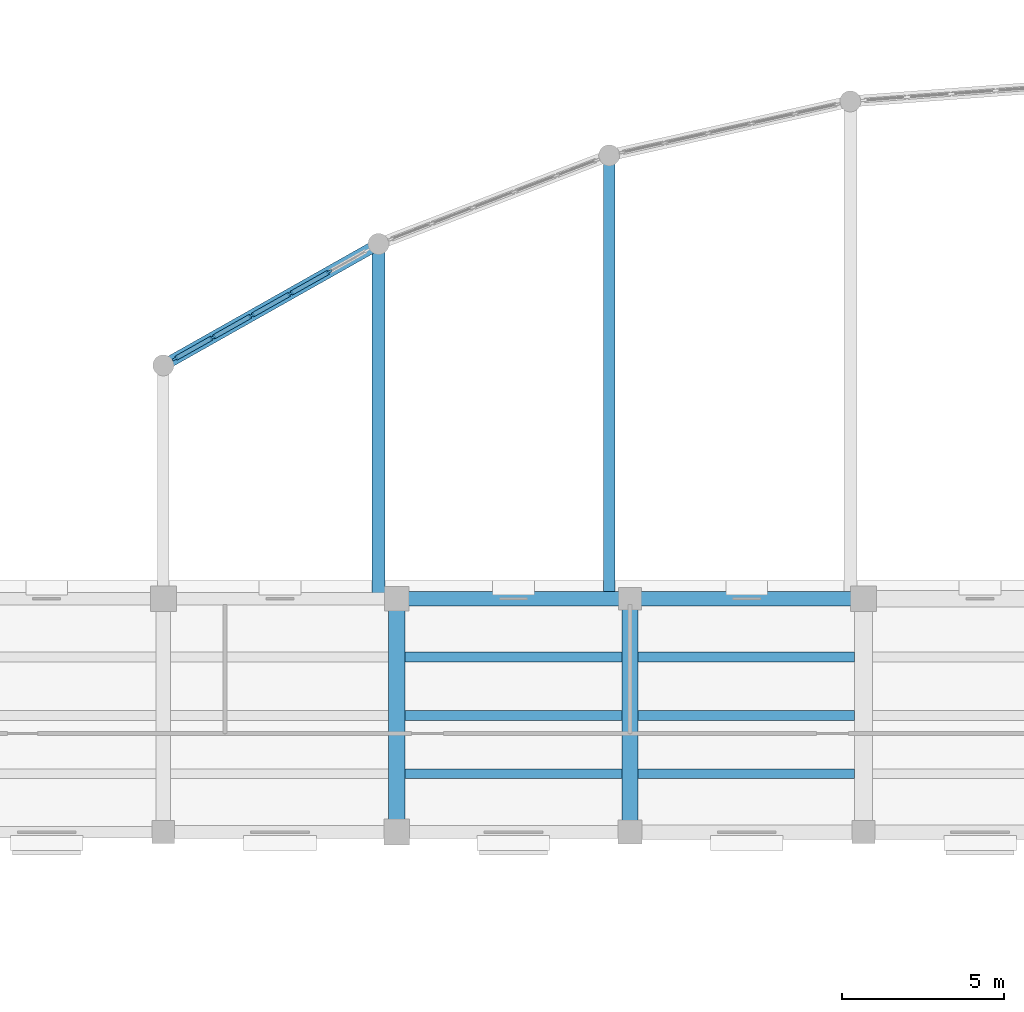
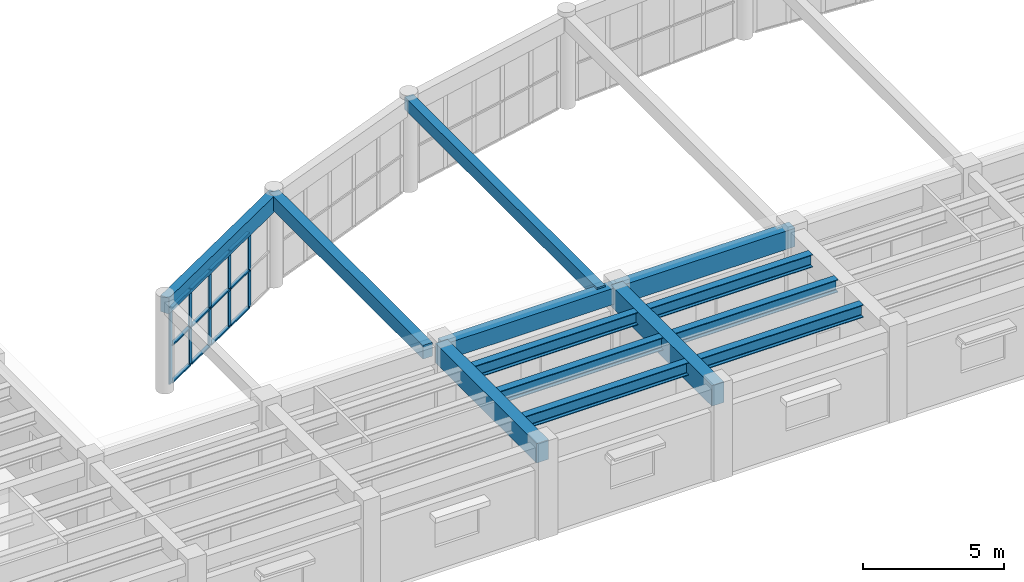
# One storey, part 16 of 76: 19 members, 11 beams, 1 element without a shape of its own.
"""IFC4 building model written with IfcOpenShell, lengths in metres."""

import ifcopenshell
import ifcopenshell.guid

model = None  # the IFC model being written
_history = None  # IfcOwnerHistory: only IFC2X3 demands one
_inside = {}  # id of a spatial element -> (the spatial element, [elements in it])
_under = {}  # id of a project, library or spatial element -> (it, [spatial elements below it])
_declared = {}  # id of a project -> (the project, [libraries it declares])
_typed = {}  # id of a type object -> (the type object, [elements of that type])
_made_of = {}  # id of a material, layer set ... -> (it, [elements and type objects made of it])


def new_model(schema):
    """Start an empty IFC model of exactly this schema.

    Asked for "IFC4X3", IfcOpenShell would pick the latest addendum, in which some entities
    have other attributes; the version numbers below select the first issue.
    IFC2X3 requires an IfcOwnerHistory on every rooted entity: one is made here for all.
    """
    global model, _history
    if schema == "IFC4X3":
        model = ifcopenshell.file(schema_version=(4, 3, 0, 0))
    else:
        model = ifcopenshell.file(schema=schema)
    _inside.clear()
    _under.clear()
    _declared.clear()
    _typed.clear()
    _made_of.clear()
    _history = None
    if model.schema == "IFC2X3":
        org = make("IfcOrganization", Name="unknown")
        user = make(
            "IfcPersonAndOrganization",
            ThePerson=make("IfcPerson", FamilyName="unknown"),
            TheOrganization=org,
        )
        app = make(
            "IfcApplication",
            ApplicationDeveloper=org,
            Version="unknown",
            ApplicationFullName="unknown",
            ApplicationIdentifier="unknown",
        )
        _history = make(
            "IfcOwnerHistory",
            OwningUser=user,
            OwningApplication=app,
            ChangeAction="ADDED",
            CreationDate=0,
        )
    return model


def make(cls, **values):
    """One entity of the class cls with the attributes given. An attribute that is None is left unset."""
    return model.create_entity(
        cls, **{name: value for name, value in values.items() if value is not None}
    )


def rooted(cls, **values):
    """An entity with a GlobalId (a new one), such as an element, a storey or a relation."""
    return make(cls, GlobalId=ifcopenshell.guid.new(), OwnerHistory=_history, **values)


def si_unit(unit_type, name, prefix=None):
    """IfcSIUnit, for example si_unit("LENGTHUNIT", "METRE", prefix="MILLI")."""
    return make("IfcSIUnit", UnitType=unit_type, Prefix=prefix, Name=name)


def assignment(units):
    """IfcUnitAssignment: the units of a project."""
    return None if units is None else make("IfcUnitAssignment", Units=units)


def point(xyz):
    """IfcCartesianPoint."""
    return None if xyz is None else make("IfcCartesianPoint", Coordinates=xyz)


def direction(xyz):
    """IfcDirection."""
    return None if xyz is None else make("IfcDirection", DirectionRatios=xyz)


def frame(location, z_axis=None, x_axis=None):
    """IfcAxis2Placement3D, a coordinate frame: its origin and axes. An axis left out is left unset."""
    return make(
        "IfcAxis2Placement3D",
        Location=point(location),
        Axis=direction(z_axis),
        RefDirection=direction(x_axis),
    )


def frame_2d(location, x_axis=None):
    """IfcAxis2Placement2D, a coordinate frame in the plane: its origin and x axis."""
    return make(
        "IfcAxis2Placement2D", Location=point(location), RefDirection=direction(x_axis)
    )


def origin():
    """The frame at (0, 0, 0) with its axes left unset."""
    return frame((0.0, 0.0, 0.0))


def origin_2d():
    """The frame at (0, 0) in the plane with its x axis left unset."""
    return frame_2d((0.0, 0.0))


def place(relative_to, where):
    """IfcLocalPlacement: puts the frame where relative to a parent placement (None: the world)."""
    return make(
        "IfcLocalPlacement", PlacementRelTo=relative_to, RelativePlacement=where
    )


def context(
    kind, dimensions, precision=None, world=None, true_north=None, identifier=None
):
    """IfcGeometricRepresentationContext, for example the 3D "Model" context."""
    return make(
        "IfcGeometricRepresentationContext",
        ContextIdentifier=identifier,
        ContextType=kind,
        CoordinateSpaceDimension=dimensions,
        Precision=precision,
        WorldCoordinateSystem=world,
        TrueNorth=true_north,
    )


def subcontext(parent, identifier, kind, view, scale=None):
    """IfcGeometricRepresentationSubContext, for example "Body" below "Model"."""
    return make(
        "IfcGeometricRepresentationSubContext",
        ContextIdentifier=identifier,
        ContextType=kind,
        ParentContext=parent,
        TargetScale=scale,
        TargetView=view,
    )


def project(units=None, contexts=None):
    """IfcProject with its units and contexts."""
    return rooted(
        "IfcProject",
        Name="project",
        RepresentationContexts=contexts,
        UnitsInContext=assignment(units),
    )


def spatial(cls, under=None, at=None, **own):
    """A site, building, storey or space (cls), placed at a placement, below another one or the project."""
    s = rooted(cls, ObjectPlacement=at, **own)
    if under is not None:
        _under.setdefault(under.id(), (under, []))[1].append(s)
    return s


def profile(cls, at=None, kind="AREA", **sizes):
    """A parametric profile (cls). Its sizes go by their IFC names, for example OverallWidth=200.0."""
    return make(cls, ProfileType=kind, Position=at, **sizes)


def rectangle(**sizes):
    """IfcRectangleProfileDef."""
    return profile("IfcRectangleProfileDef", **sizes)


def i_section(**sizes):
    """IfcIShapeProfileDef."""
    return profile("IfcIShapeProfileDef", **sizes)


def extrude(swept, where, along, depth):
    """IfcExtrudedAreaSolid: the profile swept, set in the frame where, extruded along a direction by depth."""
    return make(
        "IfcExtrudedAreaSolid",
        SweptArea=swept,
        Position=where,
        ExtrudedDirection=direction(along),
        Depth=depth,
    )


def shape(context_of_items, identifier, shape_type, items):
    """IfcShapeRepresentation: the items that make up one representation, for example the "Body"."""
    return make(
        "IfcShapeRepresentation",
        ContextOfItems=context_of_items,
        RepresentationIdentifier=identifier,
        RepresentationType=shape_type,
        Items=items,
    )


def material(Name=None, Category=None):
    """IfcMaterial."""
    return make("IfcMaterial", Name=Name, Category=Category)


def material_profile(
    of_material, cross_section, Name=None, Category=None, Priority=None
):
    """IfcMaterialProfile: a cross section and its material."""
    return make(
        "IfcMaterialProfile",
        Name=Name,
        Material=of_material,
        Profile=cross_section,
        Priority=Priority,
        Category=Category,
    )


def profile_set(profiles, Name=None, composite=None):
    """IfcMaterialProfileSet."""
    return make(
        "IfcMaterialProfileSet",
        Name=Name,
        MaterialProfiles=profiles,
        CompositeProfile=composite,
    )


def made_of(thing, what):
    """Note that an element or type object is made of a material, layer set ...; save() writes the relation."""
    if what is not None:
        _made_of.setdefault(what.id(), (what, []))[1].append(thing)
    return thing


def type_object(cls, material=None, **own):
    """A type object (cls), such as IfcWallType, which elements share."""
    return made_of(rooted(cls, **own), material)


def element(
    cls,
    number,
    at=None,
    inside=None,
    cuts=None,
    type_object=None,
    material=None,
    context=None,
    identifier="Body",
    shape_type=None,
    held_by="IfcProductDefinitionShape",
    body=None,
    shapes=None,
    **own,
):
    """One element of the class cls, such as IfcWall. Its Tag is "e" and its number.

    at: its placement. inside: the storey or other place that contains it. cuts: it is an
    opening in that element (IfcRelVoidsElement). A single representation is given by context,
    identifier, shape_type and body (its items); several are given by shapes. held_by: the class
    of the entity that holds the representations. save() writes the other relations.
    """
    e = rooted(cls, Tag="e%d" % number, ObjectPlacement=at, **own)
    if body is not None:
        shapes = [shape(context, identifier, shape_type, body)]
    if shapes is not None:
        e.Representation = make(held_by, Representations=shapes)
    if inside is not None:
        _inside.setdefault(inside.id(), (inside, []))[1].append(e)
    if cuts is not None:
        rooted(
            "IfcRelVoidsElement", RelatingBuildingElement=cuts, RelatedOpeningElement=e
        )
    if type_object is not None:
        _typed.setdefault(type_object.id(), (type_object, []))[1].append(e)
    return made_of(e, material)


def aggregate(whole, parts):
    """IfcRelAggregates: a whole, such as a stair, and the parts it consists of."""
    return rooted("IfcRelAggregates", RelatingObject=whole, RelatedObjects=parts)


def save(model, path):
    """Write the relations noted so far, then the file.

    IfcRelAggregates (storeys below a building ...), IfcRelContainedInSpatialStructure (elements
    in a storey), IfcRelDefinesByType, IfcRelAssociatesMaterial and IfcRelDeclares: one each for
    every whole, place, type object, material and project.
    """
    for whole, parts in _under.values():
        aggregate(whole, parts)
    for where, things in _inside.values():
        rooted(
            "IfcRelContainedInSpatialStructure",
            RelatedElements=things,
            RelatingStructure=where,
        )
    for kind, things in _typed.values():
        rooted("IfcRelDefinesByType", RelatedObjects=things, RelatingType=kind)
    for what, things in _made_of.values():
        rooted("IfcRelAssociatesMaterial", RelatedObjects=things, RelatingMaterial=what)
    for by, libraries in _declared.values():
        rooted("IfcRelDeclares", RelatingContext=by, RelatedDefinitions=libraries)
    model.write(path)


model = new_model("IFC4")

# Units and contexts
model_context = context("Model", 3, precision=1e-05, world=origin(), true_north=direction((0.0, 1.0)))
body_context = subcontext(model_context, "Body", "Model", "MODEL_VIEW")
ifc_project = project(units=[si_unit("LENGTHUNIT", "METRE"), si_unit("AREAUNIT", "SQUARE_METRE"), si_unit("VOLUMEUNIT", "CUBIC_METRE"), si_unit("PLANEANGLEUNIT", "RADIAN"), si_unit("MASSUNIT", "GRAM", prefix="KILO")], contexts=[model_context])

# Site, building, storey
site_placement = place(None, origin())
site = spatial("IfcSite", under=ifc_project, at=site_placement, CompositionType="ELEMENT")
building_placement = place(site_placement, origin())
building = spatial("IfcBuilding", under=site, at=building_placement, Name="Mithqara Police Headquarters", CompositionType="ELEMENT")
storey_placement = place(building_placement, frame((0.0, 0.0, 5.39990234375)))
storey = spatial("IfcBuildingStorey", under=building, at=storey_placement, Name="L01", CompositionType="ELEMENT", Elevation=5.39990234375)

# Members
ifc_material_1 = material(Name="Concrete C50/60", Category="concrete")
ifc_material_profile_1 = material_profile(ifc_material_1, rectangle(XDim=0.35009765625, YDim=0.550048828125, at=origin_2d()), Name="ARC 350x550")
ifc_profile_set_1 = profile_set([ifc_material_profile_1], Name="Concrete C50/60")
member_type_1 = type_object("IfcMemberType", Name="ARCH SEG 350X550", PredefinedType="STRUT", material=ifc_profile_set_1)
member_1_placement = place(storey_placement, frame((57.556884765625, 85.800048828125, 3.72509765625), z_axis=(0.0, 1.0, 0.0), x_axis=(-1.0, 0.0, 0.0)))
element("IfcMember", 1, at=member_1_placement, inside=storey, type_object=member_type_1, Name="Forecourt Arcade Transverse Strut 3", PredefinedType="STRUT", context=body_context, shape_type="SweptSolid", body=[
    extrude(rectangle(XDim=0.35009765625, YDim=0.550048828125, at=origin_2d()), origin(), (0.0, 0.0, 1.0), 13.68017578125),
])
ifc_material_profile_2 = material_profile(ifc_material_1, rectangle(XDim=0.39990234375, YDim=0.60009765625, at=origin_2d()), Name="ARC 400x600")
ifc_profile_set_2 = profile_set([ifc_material_profile_2], Name="Concrete C50/60")
member_type_2 = type_object("IfcMemberType", Name="ARCH SEG 400X600", PredefinedType="STRUT", material=ifc_profile_set_2)
member_2_placement = place(storey_placement, frame((50.440185546875, 85.800048828125, 3.7001953125), z_axis=(0.0, 1.0, 0.0), x_axis=(-1.0, 0.0, 0.0)))
element("IfcMember", 2, at=member_2_placement, inside=storey, type_object=member_type_2, Name="Forecourt Arcade Transverse Strut 2", PredefinedType="STRUT", context=body_context, shape_type="SweptSolid", body=[
    extrude(rectangle(XDim=0.39990234375, YDim=0.60009765625, at=origin_2d()), origin(), (0.0, 0.0, 1.0), 10.945556640625),
])

# Beams
ifc_material_2 = material(Name="Steel S355JR", Category="steel")
ifc_material_profile_3 = material_profile(ifc_material_2, i_section(OverallWidth=0.300048828125, OverallDepth=0.550048828125, WebThickness=0.014892578125, FlangeThickness=0.029052734375, FilletRadius=0.027099609375, at=origin_2d()), Name="HEB 550")
ifc_profile_set_3 = profile_set([ifc_material_profile_3], Name="Steel S355JR")
beam_type_1 = type_object("IfcBeamType", Name="BEAM HEB550", PredefinedType="BEAM", material=ifc_profile_set_3)
for number, where, z_axis, x_axis, name in (
    (3, (51.25, 80.39990234375, 3.64501953125), (1.0, 0.0, 0.0), (0.0, 1.0, 0.0), "L01 Composite Steel Joist 8-9/M.1"),
    (4, (51.25, 82.199951171875, 3.64501953125), (1.0, 0.0, 0.0), (0.0, 1.0, 0.0), "L01 Composite Steel Joist 8-9/M.2"),
    (5, (51.25, 84.0, 3.64501953125), (1.0, 0.0, 0.0), (0.0, 1.0, 0.0), "L01 Composite Steel Joist 8-9/M.3"),
):
    element("IfcBeam", number, at=place(storey_placement, frame(where, z_axis=z_axis, x_axis=x_axis)), inside=storey, type_object=beam_type_1, Name=name, PredefinedType="BEAM", context=body_context, shape_type="SweptSolid", body=[
        extrude(i_section(OverallWidth=0.300048828125, OverallDepth=0.550048828125, WebThickness=0.014892578125, FlangeThickness=0.029052734375, FilletRadius=0.027099609375, at=origin_2d()), origin(), (0.0, 0.0, 1.0), 6.699951171875),
    ])
for number, where, z_axis, x_axis, name in (
    (6, (58.449951171875, 80.39990234375, 3.64501953125), (1.0, 0.0, 0.0), (0.0, 1.0, 0.0), "L01 Composite Steel Joist 9-10/M.1"),
    (7, (58.449951171875, 82.199951171875, 3.64501953125), (1.0, 0.0, 0.0), (0.0, 1.0, 0.0), "L01 Composite Steel Joist 9-10/M.2"),
    (8, (58.449951171875, 84.0, 3.64501953125), (1.0, 0.0, 0.0), (0.0, 1.0, 0.0), "L01 Composite Steel Joist 9-10/M.3"),
):
    element("IfcBeam", number, at=place(storey_placement, frame(where, z_axis=z_axis, x_axis=x_axis)), inside=storey, type_object=beam_type_1, Name=name, PredefinedType="BEAM", context=body_context, shape_type="SweptSolid", body=[
        extrude(i_section(OverallWidth=0.300048828125, OverallDepth=0.550048828125, WebThickness=0.014892578125, FlangeThickness=0.029052734375, FilletRadius=0.027099609375, at=origin_2d()), origin(), (0.0, 0.0, 1.0), 6.675048828125),
    ])
ifc_material_3 = material(Name="Concrete C40/50", Category="concrete")
ifc_material_profile_4 = material_profile(ifc_material_3, rectangle(XDim=0.449951171875, YDim=0.699951171875, at=origin_2d()), Name="RC 450x700")
ifc_profile_set_4 = profile_set([ifc_material_profile_4], Name="Concrete C40/50")
beam_type_2 = type_object("IfcBeamType", Name="BEAM RC450X700", PredefinedType="BEAM", material=ifc_profile_set_4)
beam_1_placement = place(storey_placement, frame((51.0, 85.800048828125, 3.570068359375), z_axis=(1.0, 0.0, 0.0), x_axis=(0.0, 1.0, 0.0)))
element("IfcBeam", 9, at=beam_1_placement, inside=storey, type_object=beam_type_2, Name="L01 Girder 8-9/N", PredefinedType="BEAM", context=body_context, shape_type="SweptSolid", body=[
    extrude(rectangle(XDim=0.449951171875, YDim=0.699951171875, at=origin_2d()), origin(), (0.0, 0.0, 1.0), 7.199951171875),
])
ifc_material_profile_5 = material_profile(ifc_material_3, rectangle(XDim=0.449951171875, YDim=0.800048828125, at=origin_2d()), Name="RC 450x800")
ifc_profile_set_5 = profile_set([ifc_material_profile_5], Name="Concrete C40/50")
beam_type_3 = type_object("IfcBeamType", Name="BEAM RC450X800", PredefinedType="BEAM", material=ifc_profile_set_5)
beam_2_placement = place(storey_placement, frame((58.199951171875, 85.800048828125, 3.52001953125), z_axis=(1.0, 0.0, 0.0), x_axis=(0.0, 1.0, 0.0)))
element("IfcBeam", 10, at=beam_2_placement, inside=storey, type_object=beam_type_3, Name="L01 Girder 9-10/N", PredefinedType="BEAM", context=body_context, shape_type="SweptSolid", body=[
    extrude(rectangle(XDim=0.449951171875, YDim=0.800048828125, at=origin_2d()), origin(), (0.0, 0.0, 1.0), 7.199951171875),
])
ifc_material_profile_6 = material_profile(ifc_material_3, rectangle(XDim=0.5, YDim=0.85009765625, at=origin_2d()), Name="RC 500x850")
ifc_profile_set_6 = profile_set([ifc_material_profile_6], Name="Concrete C40/50")
beam_type_4 = type_object("IfcBeamType", Name="BEAM RC500X850", PredefinedType="BEAM", material=ifc_profile_set_6)
beam_3_placement = place(storey_placement, frame((51.0, 78.60009765625, 3.4951171875), z_axis=(0.0, 1.0, 0.0), x_axis=(-1.0, 0.0, 0.0)))
element("IfcBeam", 11, at=beam_3_placement, inside=storey, type_object=beam_type_4, Name="L01 Girder 8/M-N", PredefinedType="BEAM", context=body_context, shape_type="SweptSolid", body=[
    extrude(rectangle(XDim=0.5, YDim=0.85009765625, at=origin_2d()), origin(), (0.0, 0.0, 1.0), 7.199951171875),
])
ifc_material_profile_7 = material_profile(ifc_material_1, rectangle(XDim=0.5, YDim=0.89990234375, at=origin_2d()), Name="RC 500x900")
ifc_profile_set_7 = profile_set([ifc_material_profile_7], Name="Concrete C50/60")
beam_type_5 = type_object("IfcBeamType", Name="BEAM RC500X900", PredefinedType="BEAM", material=ifc_profile_set_7)
beam_4_placement = place(storey_placement, frame((58.199951171875, 78.60009765625, 3.47021484375), z_axis=(0.0, 1.0, 0.0), x_axis=(-1.0, 0.0, 0.0)))
element("IfcBeam", 12, at=beam_4_placement, inside=storey, type_object=beam_type_5, Name="L01 Girder 9/M-N", PredefinedType="BEAM", context=body_context, shape_type="SweptSolid", body=[
    extrude(rectangle(XDim=0.5, YDim=0.89990234375, at=origin_2d()), origin(), (0.0, 0.0, 1.0), 7.199951171875),
])

# Curtain wall, members
ifc_material_4 = material(Name="Bronze anodised aluminium 6063-T6", Category="aluminium")
curtain_wall_type = type_object("IfcCurtainWallType", Name="CURTAIN WALL 6875X3300", PredefinedType="USERDEFINED", material=ifc_material_4)
curtain_wall_placement = place(storey_placement, origin())
curtain_wall = element("IfcCurtainWall", 13, at=curtain_wall_placement, inside=storey, type_object=curtain_wall_type, Name="L01 Unitised Glazing CW-12 (CW-ARC-L01-00-0)", ObjectType="UNITISED GLAZING", PredefinedType="USERDEFINED")
ifc_material_profile_8 = material_profile(ifc_material_4, rectangle(XDim=0.06494140625, YDim=0.179931640625, at=origin_2d()), Name="CWM 65x180")
ifc_profile_set_8 = profile_set([ifc_material_profile_8], Name="Bronze anodised aluminium 6063-T6")
member_type_3 = type_object("IfcMemberType", Name="CWMULLION 65X180", PredefinedType="MULLION", material=ifc_profile_set_8)
member_3_placement = place(storey_placement, frame((44.154541015625, 93.199951171875, 0.0), z_axis=(0.0, 0.0, 1.0), x_axis=(-0.491307888255, 0.870985969427, 0.0)))
member_3 = element("IfcMember", 14, at=member_3_placement, type_object=member_type_3, Name="CW-12 mullion 1", PredefinedType="MULLION", context=body_context, shape_type="SweptSolid", body=[
    extrude(rectangle(XDim=0.06494140625, YDim=0.179931640625, at=origin_2d()), origin(), (0.0, 0.0, 1.0), 3.300048828125),
])
member_4_placement = place(storey_placement, frame((45.32373046875, 93.859619140625, 0.0), z_axis=(0.0, 0.0, 1.0), x_axis=(-0.491307888255, 0.870985969427, 0.0)))
member_4 = element("IfcMember", 15, at=member_4_placement, type_object=member_type_3, Name="CW-12 mullion 2", PredefinedType="MULLION", context=body_context, shape_type="SweptSolid", body=[
    extrude(rectangle(XDim=0.06494140625, YDim=0.179931640625, at=origin_2d()), origin(), (0.0, 0.0, 1.0), 3.300048828125),
])
member_5_placement = place(storey_placement, frame((46.521240234375, 94.53515625, 0.0), z_axis=(0.0, 0.0, 1.0), x_axis=(-0.491307888255, 0.870985969427, 0.0)))
member_5 = element("IfcMember", 16, at=member_5_placement, type_object=member_type_3, Name="CW-12 mullion 3", PredefinedType="MULLION", context=body_context, shape_type="SweptSolid", body=[
    extrude(rectangle(XDim=0.06494140625, YDim=0.179931640625, at=origin_2d()), origin(), (0.0, 0.0, 1.0), 3.300048828125),
])
member_6_placement = place(storey_placement, frame((47.71875, 95.210693359375, 0.0), z_axis=(0.0, 0.0, 1.0), x_axis=(-0.491307888255, 0.870985969427, 0.0)))
member_6 = element("IfcMember", 17, at=member_6_placement, type_object=member_type_3, Name="CW-12 mullion 4", PredefinedType="MULLION", context=body_context, shape_type="SweptSolid", body=[
    extrude(rectangle(XDim=0.06494140625, YDim=0.179931640625, at=origin_2d()), origin(), (0.0, 0.0, 1.0), 3.300048828125),
])
member_7_placement = place(storey_placement, frame((48.916259765625, 95.885986328125, 0.0), z_axis=(0.0, 0.0, 1.0), x_axis=(-0.491307888255, 0.870985969427, 0.0)))
member_7 = element("IfcMember", 18, at=member_7_placement, type_object=member_type_3, Name="CW-12 mullion 5", PredefinedType="MULLION", context=body_context, shape_type="SweptSolid", body=[
    extrude(rectangle(XDim=0.06494140625, YDim=0.179931640625, at=origin_2d()), origin(), (0.0, 0.0, 1.0), 3.300048828125),
])
ifc_material_profile_9 = material_profile(ifc_material_4, rectangle(XDim=0.139892578125, YDim=0.06494140625, at=origin_2d()), Name="CWT 140x65")
ifc_profile_set_9 = profile_set([ifc_material_profile_9], Name="Bronze anodised aluminium 6063-T6")
member_type_4 = type_object("IfcMemberType", Name="CWTRANSOM 140X65", PredefinedType="USERDEFINED", material=ifc_profile_set_9)
member_8_placement = place(storey_placement, frame((44.182861328125, 93.216064453125, 0.03271484375), z_axis=(0.870947009323, 0.49137694996, 0.0), x_axis=(-0.49137694996, 0.870947009323, 0.0)))
member_8 = element("IfcMember", 19, at=member_8_placement, type_object=member_type_4, Name="CW-12 transom 1.1", ObjectType="TRANSOM", PredefinedType="USERDEFINED", context=body_context, shape_type="SweptSolid", body=[
    extrude(rectangle(XDim=0.139892578125, YDim=0.06494140625, at=origin_2d()), origin(), (0.0, 0.0, 1.0), 1.27734375),
])
member_9_placement = place(storey_placement, frame((44.182861328125, 93.216064453125, 1.650146484375), z_axis=(0.870947009323, 0.49137694996, 0.0), x_axis=(-0.49137694996, 0.870947009323, 0.0)))
member_9 = element("IfcMember", 20, at=member_9_placement, type_object=member_type_4, Name="CW-12 transom 1.2", ObjectType="TRANSOM", PredefinedType="USERDEFINED", context=body_context, shape_type="SweptSolid", body=[
    extrude(rectangle(XDim=0.139892578125, YDim=0.06494140625, at=origin_2d()), origin(), (0.0, 0.0, 1.0), 1.27734375),
])
member_10_placement = place(storey_placement, frame((44.182861328125, 93.216064453125, 3.267578125), z_axis=(0.870947009323, 0.49137694996, 0.0), x_axis=(-0.49137694996, 0.870947009323, 0.0)))
member_10 = element("IfcMember", 21, at=member_10_placement, type_object=member_type_4, Name="CW-12 transom 1.3", ObjectType="TRANSOM", PredefinedType="USERDEFINED", context=body_context, shape_type="SweptSolid", body=[
    extrude(rectangle(XDim=0.139892578125, YDim=0.06494140625, at=origin_2d()), origin(), (0.0, 0.0, 1.0), 1.27734375),
])
member_11_placement = place(storey_placement, frame((45.35205078125, 93.87548828125, 0.03271484375), z_axis=(0.870982557983, 0.491313935982, 0.0), x_axis=(-0.491313935982, 0.870982557983, 0.0)))
member_11 = element("IfcMember", 22, at=member_11_placement, type_object=member_type_4, Name="CW-12 transom 2.1", ObjectType="TRANSOM", PredefinedType="USERDEFINED", context=body_context, shape_type="SweptSolid", body=[
    extrude(rectangle(XDim=0.139892578125, YDim=0.06494140625, at=origin_2d()), origin(), (0.0, 0.0, 1.0), 1.309814453125),
])
member_12_placement = place(storey_placement, frame((45.35205078125, 93.87548828125, 1.650146484375), z_axis=(0.870982557983, 0.491313935982, 0.0), x_axis=(-0.491313935982, 0.870982557983, 0.0)))
member_12 = element("IfcMember", 23, at=member_12_placement, type_object=member_type_4, Name="CW-12 transom 2.2", ObjectType="TRANSOM", PredefinedType="USERDEFINED", context=body_context, shape_type="SweptSolid", body=[
    extrude(rectangle(XDim=0.139892578125, YDim=0.06494140625, at=origin_2d()), origin(), (0.0, 0.0, 1.0), 1.309814453125),
])
member_13_placement = place(storey_placement, frame((45.35205078125, 93.87548828125, 3.267578125), z_axis=(0.870982557983, 0.491313935982, 0.0), x_axis=(-0.491313935982, 0.870982557983, 0.0)))
member_13 = element("IfcMember", 24, at=member_13_placement, type_object=member_type_4, Name="CW-12 transom 2.3", ObjectType="TRANSOM", PredefinedType="USERDEFINED", context=body_context, shape_type="SweptSolid", body=[
    extrude(rectangle(XDim=0.139892578125, YDim=0.06494140625, at=origin_2d()), origin(), (0.0, 0.0, 1.0), 1.309814453125),
])
member_14_placement = place(storey_placement, frame((46.549560546875, 94.551025390625, 0.03271484375), z_axis=(0.871027538671, 0.491234187406, 0.0), x_axis=(-0.491234187406, 0.871027538671, 0.0)))
member_14 = element("IfcMember", 25, at=member_14_placement, type_object=member_type_4, Name="CW-12 transom 3.1", ObjectType="TRANSOM", PredefinedType="USERDEFINED", context=body_context, shape_type="SweptSolid", body=[
    extrude(rectangle(XDim=0.139892578125, YDim=0.06494140625, at=origin_2d()), origin(), (0.0, 0.0, 1.0), 1.31005859375),
])
member_15_placement = place(storey_placement, frame((46.549560546875, 94.551025390625, 1.650146484375), z_axis=(0.871027538671, 0.491234187406, 0.0), x_axis=(-0.491234187406, 0.871027538671, 0.0)))
member_15 = element("IfcMember", 26, at=member_15_placement, type_object=member_type_4, Name="CW-12 transom 3.2", ObjectType="TRANSOM", PredefinedType="USERDEFINED", context=body_context, shape_type="SweptSolid", body=[
    extrude(rectangle(XDim=0.139892578125, YDim=0.06494140625, at=origin_2d()), origin(), (0.0, 0.0, 1.0), 1.31005859375),
])
member_16_placement = place(storey_placement, frame((46.549560546875, 94.551025390625, 3.267578125), z_axis=(0.871027538671, 0.491234187406, 0.0), x_axis=(-0.491234187406, 0.871027538671, 0.0)))
member_16 = element("IfcMember", 27, at=member_16_placement, type_object=member_type_4, Name="CW-12 transom 3.3", ObjectType="TRANSOM", PredefinedType="USERDEFINED", context=body_context, shape_type="SweptSolid", body=[
    extrude(rectangle(XDim=0.139892578125, YDim=0.06494140625, at=origin_2d()), origin(), (0.0, 0.0, 1.0), 1.31005859375),
])
member_17_placement = place(storey_placement, frame((47.7470703125, 95.2265625, 0.03271484375), z_axis=(0.871027538671, 0.491234187406, 0.0), x_axis=(-0.491234187406, 0.871027538671, 0.0)))
member_17 = element("IfcMember", 28, at=member_17_placement, type_object=member_type_4, Name="CW-12 transom 4.1", ObjectType="TRANSOM", PredefinedType="USERDEFINED", context=body_context, shape_type="SweptSolid", body=[
    extrude(rectangle(XDim=0.139892578125, YDim=0.06494140625, at=origin_2d()), origin(), (0.0, 0.0, 1.0), 1.31005859375),
])
member_18_placement = place(storey_placement, frame((47.7470703125, 95.2265625, 1.650146484375), z_axis=(0.871027538671, 0.491234187406, 0.0), x_axis=(-0.491234187406, 0.871027538671, 0.0)))
member_18 = element("IfcMember", 29, at=member_18_placement, type_object=member_type_4, Name="CW-12 transom 4.2", ObjectType="TRANSOM", PredefinedType="USERDEFINED", context=body_context, shape_type="SweptSolid", body=[
    extrude(rectangle(XDim=0.139892578125, YDim=0.06494140625, at=origin_2d()), origin(), (0.0, 0.0, 1.0), 1.31005859375),
])
member_19_placement = place(storey_placement, frame((47.7470703125, 95.2265625, 3.267578125), z_axis=(0.871027538671, 0.491234187406, 0.0), x_axis=(-0.491234187406, 0.871027538671, 0.0)))
member_19 = element("IfcMember", 30, at=member_19_placement, type_object=member_type_4, Name="CW-12 transom 4.3", ObjectType="TRANSOM", PredefinedType="USERDEFINED", context=body_context, shape_type="SweptSolid", body=[
    extrude(rectangle(XDim=0.139892578125, YDim=0.06494140625, at=origin_2d()), origin(), (0.0, 0.0, 1.0), 1.31005859375),
])
aggregate(curtain_wall, [member_3, member_4, member_5, member_6, member_7, member_8, member_9, member_10, member_11, member_12, member_13, member_14, member_15, member_16, member_17, member_18, member_19])

# Beam
ifc_material_profile_10 = material_profile(ifc_material_3, rectangle(XDim=0.35009765625, YDim=0.699951171875, at=origin_2d()), Name="SPB 350x700")
ifc_profile_set_10 = profile_set([ifc_material_profile_10], Name="Concrete C40/50")
beam_type_6 = type_object("IfcBeamType", Name="SPANDREL 350X700", PredefinedType="SPANDREL", material=ifc_profile_set_10)
beam_5_placement = place(storey_placement, frame((43.800048828125, 93.0, 3.650146484375), z_axis=(0.870984792582, 0.491309974549, 0.0), x_axis=(-0.491309974549, 0.870984792582, 0.0)))
element("IfcBeam", 31, at=beam_5_placement, inside=storey, type_object=beam_type_6, Name="L01 Swept Arcade Ring Spandrel 1", PredefinedType="SPANDREL", context=body_context, shape_type="SweptSolid", body=[
    extrude(rectangle(XDim=0.35009765625, YDim=0.699951171875, at=origin_2d()), origin(), (0.0, 0.0, 1.0), 7.623779296875),
])

save(model, "model.ifc")
